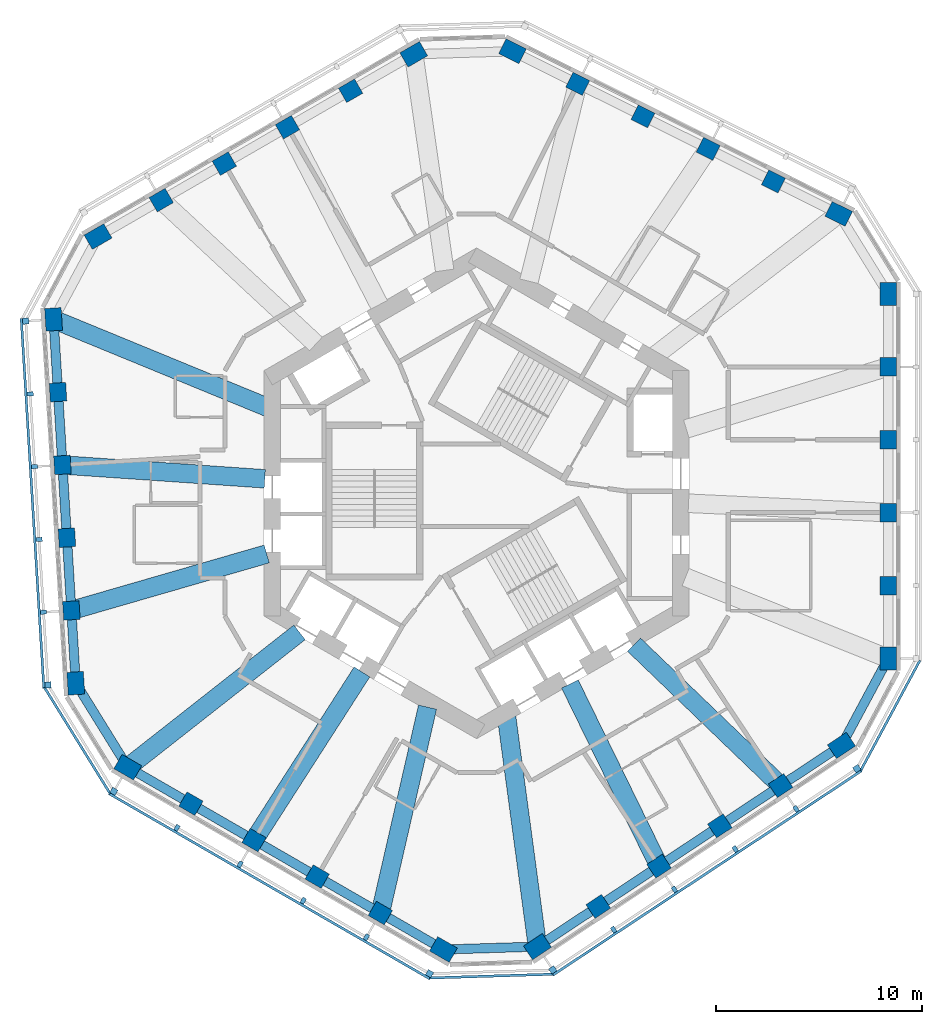
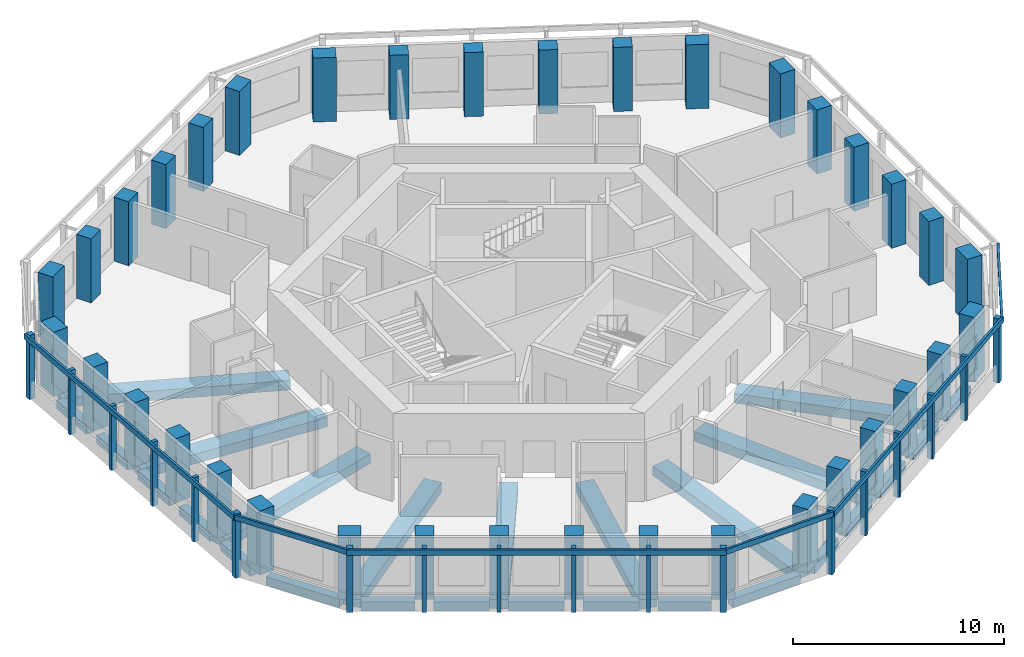
# One storey, part 1 of 11: 36 columns, 27 beams, 24 members, 6 elements without a shape of their own.
"""IFC4 building model written with IfcOpenShell, lengths in metres."""

from ifc_helpers import new_model, si_unit, direction, frame, origin, origin_2d, place, context, subcontext, project, spatial, rectangle, extrude, material, material_profile, profile_set, type_object, element, aggregate, save


model = new_model("IFC4")

# Units and contexts
model_context = context("Model", 3, precision=1e-05, world=origin(), true_north=direction((0.0, 1.0)))
body_context = subcontext(model_context, "Body", "Model", "MODEL_VIEW")
ifc_project = project(units=[si_unit("LENGTHUNIT", "METRE"), si_unit("AREAUNIT", "SQUARE_METRE"), si_unit("VOLUMEUNIT", "CUBIC_METRE"), si_unit("PLANEANGLEUNIT", "RADIAN"), si_unit("MASSUNIT", "GRAM", prefix="KILO")], contexts=[model_context])

# Site, building, storey
site_placement = place(None, origin())
site = spatial("IfcSite", under=ifc_project, at=site_placement, CompositionType="ELEMENT")
building_placement = place(site_placement, origin())
building = spatial("IfcBuilding", under=site, at=building_placement, Name="Vanh Sen Convention Tower", CompositionType="ELEMENT")
storey_placement = place(building_placement, frame((0.0, 0.0, 240.199951171875)))
storey = spatial("IfcBuildingStorey", under=building, at=storey_placement, Name="L59", CompositionType="ELEMENT", Elevation=240.199951171875)

# Columns
ifc_material_1 = material(Name="Concrete C60/75", Category="concrete")
ifc_material_profile_1 = material_profile(ifc_material_1, rectangle(XDim=0.89990234375, YDim=0.800048828125, at=origin_2d()), Name="RC 900X800")
ifc_profile_set_1 = profile_set([ifc_material_profile_1], Name="Concrete C60/75")
column_type_1 = type_object("IfcColumnType", Name="Facade column 900 x 800 C60/75", PredefinedType="COLUMN", material=ifc_profile_set_1)
for number, where, z_axis, x_axis, name in (
    (1, (19.949951171875, -4.46923828125, 0.0), (0.0, 0.0, 1.0), (0.0, 1.0, 0.0), "Facade column 02 L59"),
    (2, (19.949951171875, -0.935546875, 0.0), (0.0, 0.0, 1.0), (0.0, 1.0, 0.0), "Facade column 03 L59"),
    (3, (19.949951171875, 2.59814453125, 0.0), (0.0, 0.0, 1.0), (0.0, 1.0, 0.0), "Facade column 04 L59"),
    (4, (19.949951171875, 6.131591796875, 0.0), (0.0, 0.0, 1.0), (0.0, 1.0, 0.0), "Facade column 05 L59"),
    (5, (14.38916015625, 15.117919921875, 0.0), (0.0, 0.0, 1.0), (-0.894934361602, 0.44619781311, 0.0), "Facade column 08 L59"),
    (6, (11.226806640625, 16.694580078125, 0.0), (0.0, 0.0, 1.0), (-0.894934361602, 0.44619781311, 0.0), "Facade column 09 L59"),
    (7, (8.064453125, 18.271484375, 0.0), (0.0, 0.0, 1.0), (-0.894934361602, 0.44619781311, 0.0), "Facade column 10 L59"),
    (8, (4.902099609375, 19.84814453125, 0.0), (0.0, 0.0, 1.0), (-0.894934361602, 0.44619781311, 0.0), "Facade column 11 L59"),
    (9, (-6.1044921875, 19.51171875, 0.0), (0.0, 0.0, 1.0), (-0.866025403784, -0.5, 0.0), "Facade column 14 L59"),
    (10, (-9.164794921875, 17.7451171875, 0.0), (0.0, 0.0, 1.0), (-0.866025403784, -0.5, 0.0), "Facade column 15 L59"),
    (11, (-12.22509765625, 15.978271484375, 0.0), (0.0, 0.0, 1.0), (-0.866025403784, -0.5, 0.0), "Facade column 16 L59"),
    (12, (-15.28515625, 14.211181640625, 0.0), (0.0, 0.0, 1.0), (-0.866025403784, -0.5, 0.0), "Facade column 17 L59"),
    (13, (-20.287109375, 4.90234375, 0.0), (0.0, 0.0, 1.0), (0.061048539535, -0.998134798422, 0.0), "Facade column 20 L59"),
    (14, (-20.0712890625, 1.375244140625, 0.0), (0.0, 0.0, 1.0), (0.061048539535, -0.998134798422, 0.0), "Facade column 21 L59"),
    (15, (-19.855712890625, -2.151611328125, 0.0), (0.0, 0.0, 1.0), (0.061048539535, -0.998134798422, 0.0), "Facade column 22 L59"),
    (16, (-19.639892578125, -5.6787109375, 0.0), (0.0, 0.0, 1.0), (0.061048539535, -0.998134798422, 0.0), "Facade column 23 L59"),
    (17, (-13.845458984375, -15.04248046875, 0.0), (0.0, 0.0, 1.0), (0.866025403784, -0.5, 0.0), "Facade column 26 L59"),
    (18, (-10.78515625, -16.809326171875, 0.0), (0.0, 0.0, 1.0), (0.866025403784, -0.5, 0.0), "Facade column 27 L59"),
    (19, (-7.72509765625, -18.576416015625, 0.0), (0.0, 0.0, 1.0), (0.866025403784, -0.5, 0.0), "Facade column 28 L59"),
    (20, (-4.664794921875, -20.343017578125, 0.0), (0.0, 0.0, 1.0), (0.866025403784, -0.5, 0.0), "Facade column 29 L59"),
    (21, (5.89794921875, -20.0205078125, 0.0), (0.0, 0.0, 1.0), (0.833885822067, 0.551936985312, 0.0), "Facade column 32 L59"),
    (22, (8.844482421875, -18.070068359375, 0.0), (0.0, 0.0, 1.0), (0.833885822067, 0.551936985312, 0.0), "Facade column 33 L59"),
    (23, (11.791259765625, -16.11962890625, 0.0), (0.0, 0.0, 1.0), (0.833885822067, 0.551936985312, 0.0), "Facade column 34 L59"),
    (24, (14.73779296875, -14.169189453125, 0.0), (0.0, 0.0, 1.0), (0.833885822067, 0.551936985312, 0.0), "Facade column 35 L59"),
):
    element("IfcColumn", number, at=place(storey_placement, frame(where, z_axis=z_axis, x_axis=x_axis)), inside=storey, type_object=column_type_1, Name=name, PredefinedType="COLUMN", context=body_context, shape_type="SweptSolid", body=[
        extrude(rectangle(XDim=0.89990234375, YDim=0.800048828125, at=origin_2d()), origin(), (0.0, 0.0, 1.0), 3.699951171875),
    ])
ifc_material_profile_2 = material_profile(ifc_material_1, rectangle(XDim=1.10009765625, YDim=0.800048828125, at=origin_2d()), Name="RC 1100X800")
ifc_profile_set_2 = profile_set([ifc_material_profile_2], Name="Concrete C60/75")
column_type_2 = type_object("IfcColumnType", Name="Facade corner column 1100 x 800 C60/75", PredefinedType="COLUMN", material=ifc_profile_set_2)
for number, where, z_axis, x_axis, name in (
    (25, (19.949951171875, -8.002685546875, 0.0), (0.0, 0.0, 1.0), (0.0, 1.0, 0.0), "Facade column 01 L59"),
    (26, (19.949951171875, 9.665283203125, 0.0), (0.0, 0.0, 1.0), (0.0, 1.0, 0.0), "Facade column 06 L59"),
    (27, (17.551513671875, 13.541259765625, 0.0), (0.0, 0.0, 1.0), (-0.894934361602, 0.44619781311, 0.0), "Facade column 07 L59"),
    (28, (1.73974609375, 21.4248046875, 0.0), (0.0, 0.0, 1.0), (-0.894934361602, 0.44619781311, 0.0), "Facade column 12 L59"),
    (29, (-3.04443359375, 21.278564453125, 0.0), (0.0, 0.0, 1.0), (-0.866025403784, -0.5, 0.0), "Facade column 13 L59"),
    (30, (-18.345458984375, 12.444580078125, 0.0), (0.0, 0.0, 1.0), (-0.866025403784, -0.5, 0.0), "Facade column 18 L59"),
    (31, (-20.502685546875, 8.429443359375, 0.0), (0.0, 0.0, 1.0), (0.061048539535, -0.998134798422, 0.0), "Facade column 19 L59"),
    (32, (-19.42431640625, -9.205810546875, 0.0), (0.0, 0.0, 1.0), (0.061048539535, -0.998134798422, 0.0), "Facade column 24 L59"),
    (33, (-16.905517578125, -13.27587890625, 0.0), (0.0, 0.0, 1.0), (0.866025403784, -0.5, 0.0), "Facade column 25 L59"),
    (34, (-1.6044921875, -22.10986328125, 0.0), (0.0, 0.0, 1.0), (0.866025403784, -0.5, 0.0), "Facade column 30 L59"),
    (35, (2.951416015625, -21.970703125, 0.0), (0.0, 0.0, 1.0), (0.833885822067, 0.551936985312, 0.0), "Facade column 31 L59"),
    (36, (17.6845703125, -12.218994140625, 0.0), (0.0, 0.0, 1.0), (0.833885822067, 0.551936985312, 0.0), "Facade column 36 L59"),
):
    element("IfcColumn", number, at=place(storey_placement, frame(where, z_axis=z_axis, x_axis=x_axis)), inside=storey, type_object=column_type_2, Name=name, PredefinedType="COLUMN", context=body_context, shape_type="SweptSolid", body=[
        extrude(rectangle(XDim=1.10009765625, YDim=0.800048828125, at=origin_2d()), origin(), (0.0, 0.0, 1.0), 3.699951171875),
    ])

# Curtain wall, members
ifc_material_2 = material(Name="Concrete C50/60", Category="concrete")
curtain_wall_type = type_object("IfcCurtainWallType", Name="Outer skin office zone", PredefinedType="NOTDEFINED", material=ifc_material_2)
curtain_wall_1_placement = place(storey_placement, origin())
curtain_wall_1 = element("IfcCurtainWall", 37, at=curtain_wall_1_placement, inside=storey, type_object=curtain_wall_type, Name="OUTER SKIN W L59", PredefinedType="NOTDEFINED")
ifc_material_profile_3 = material_profile(ifc_material_2, rectangle(XDim=0.300048828125, YDim=0.300048828125, at=origin_2d()), Name="Outer skin precast corner fin 300 x 300")
ifc_profile_set_3 = profile_set([ifc_material_profile_3], Name="Concrete C50/60")
member_type_1 = type_object("IfcMemberType", Name="Outer skin precast corner fin 300 x 300", PredefinedType="MULLION", material=ifc_profile_set_3)
member_1_placement = place(storey_placement, frame((-21.850341796875, 8.346923828125, 0.0), z_axis=(0.0, 0.0, 1.0), x_axis=(0.061048539535, -0.998134798422, 0.0)))
member_1 = element("IfcMember", 38, at=member_1_placement, type_object=member_type_1, Name="OUTER SKIN CORNER FIN 1 W L59", PredefinedType="MULLION", context=body_context, shape_type="SweptSolid", body=[
    extrude(rectangle(XDim=0.300048828125, YDim=0.300048828125, at=origin_2d()), origin(), (0.0, 0.0, 1.0), 3.699951171875),
])
member_2_placement = place(storey_placement, frame((-20.771728515625, -9.2880859375, 0.0), z_axis=(0.0, 0.0, 1.0), x_axis=(0.061048539535, -0.998134798422, 0.0)))
member_2 = element("IfcMember", 39, at=member_2_placement, type_object=member_type_1, Name="OUTER SKIN CORNER FIN 6 W L59", PredefinedType="MULLION", context=body_context, shape_type="SweptSolid", body=[
    extrude(rectangle(XDim=0.300048828125, YDim=0.300048828125, at=origin_2d()), origin(), (0.0, 0.0, 1.0), 3.699951171875),
])

curtain_wall_2_placement = place(storey_placement, origin())
curtain_wall_2 = element("IfcCurtainWall", 40, at=curtain_wall_2_placement, inside=storey, type_object=curtain_wall_type, Name="OUTER SKIN SW L59", PredefinedType="NOTDEFINED")
member_3_placement = place(storey_placement, frame((-17.58056640625, -14.44482421875, 0.0), z_axis=(0.0, 0.0, 1.0), x_axis=(0.866025403784, -0.5, 0.0)))
member_3 = element("IfcMember", 41, at=member_3_placement, type_object=member_type_1, Name="OUTER SKIN CORNER FIN 1 SW L59", PredefinedType="MULLION", context=body_context, shape_type="SweptSolid", body=[
    extrude(rectangle(XDim=0.300048828125, YDim=0.300048828125, at=origin_2d()), origin(), (0.0, 0.0, 1.0), 3.699951171875),
])
member_4_placement = place(storey_placement, frame((-2.279541015625, -23.279052734375, 0.0), z_axis=(0.0, 0.0, 1.0), x_axis=(0.866025403784, -0.5, 0.0)))
member_4 = element("IfcMember", 42, at=member_4_placement, type_object=member_type_1, Name="OUTER SKIN CORNER FIN 6 SW L59", PredefinedType="MULLION", context=body_context, shape_type="SweptSolid", body=[
    extrude(rectangle(XDim=0.300048828125, YDim=0.300048828125, at=origin_2d()), origin(), (0.0, 0.0, 1.0), 3.699951171875),
])

curtain_wall_3_placement = place(storey_placement, origin())
curtain_wall_3 = element("IfcCurtainWall", 43, at=curtain_wall_3_placement, inside=storey, type_object=curtain_wall_type, Name="OUTER SKIN SE L59", PredefinedType="NOTDEFINED")
member_5_placement = place(storey_placement, frame((3.6962890625, -23.096435546875, 0.0), z_axis=(0.0, 0.0, 1.0), x_axis=(0.833885822067, 0.551936985312, 0.0)))
member_5 = element("IfcMember", 44, at=member_5_placement, type_object=member_type_1, Name="OUTER SKIN CORNER FIN 1 SE L59", PredefinedType="MULLION", context=body_context, shape_type="SweptSolid", body=[
    extrude(rectangle(XDim=0.300048828125, YDim=0.300048828125, at=origin_2d()), origin(), (0.0, 0.0, 1.0), 3.699951171875),
])
member_6_placement = place(storey_placement, frame((18.4296875, -13.3447265625, 0.0), z_axis=(0.0, 0.0, 1.0), x_axis=(0.833885822067, 0.551936985312, 0.0)))
member_6 = element("IfcMember", 45, at=member_6_placement, type_object=member_type_1, Name="OUTER SKIN CORNER FIN 6 SE L59", PredefinedType="MULLION", context=body_context, shape_type="SweptSolid", body=[
    extrude(rectangle(XDim=0.300048828125, YDim=0.300048828125, at=origin_2d()), origin(), (0.0, 0.0, 1.0), 3.699951171875),
])

# Member
ifc_material_profile_4 = material_profile(ifc_material_2, rectangle(XDim=0.199951171875, YDim=0.300048828125, at=origin_2d()), Name="Outer skin precast fin 200 x 300")
ifc_profile_set_4 = profile_set([ifc_material_profile_4], Name="Concrete C50/60")
member_type_2 = type_object("IfcMemberType", Name="Outer skin precast fin 200 x 300", PredefinedType="MULLION", material=ifc_profile_set_4)
member_7_placement = place(storey_placement, frame((-21.634521484375, 4.820068359375, 0.0), z_axis=(0.0, 0.0, 1.0), x_axis=(0.061048539535, -0.998134798422, 0.0)))
member_7 = element("IfcMember", 46, at=member_7_placement, type_object=member_type_2, Name="OUTER SKIN fin 2 W L59", PredefinedType="MULLION", context=body_context, shape_type="SweptSolid", body=[
    extrude(rectangle(XDim=0.199951171875, YDim=0.300048828125, at=origin_2d()), origin(), (0.0, 0.0, 1.0), 3.699951171875),
])

member_8_placement = place(storey_placement, frame((-21.4189453125, 1.29296875, 0.0), z_axis=(0.0, 0.0, 1.0), x_axis=(0.061048539535, -0.998134798422, 0.0)))
member_8 = element("IfcMember", 47, at=member_8_placement, type_object=member_type_2, Name="OUTER SKIN fin 3 W L59", PredefinedType="MULLION", context=body_context, shape_type="SweptSolid", body=[
    extrude(rectangle(XDim=0.199951171875, YDim=0.300048828125, at=origin_2d()), origin(), (0.0, 0.0, 1.0), 3.699951171875),
])

member_9_placement = place(storey_placement, frame((-21.203125, -2.234130859375, 0.0), z_axis=(0.0, 0.0, 1.0), x_axis=(0.061048539535, -0.998134798422, 0.0)))
member_9 = element("IfcMember", 48, at=member_9_placement, type_object=member_type_2, Name="OUTER SKIN fin 4 W L59", PredefinedType="MULLION", context=body_context, shape_type="SweptSolid", body=[
    extrude(rectangle(XDim=0.199951171875, YDim=0.300048828125, at=origin_2d()), origin(), (0.0, 0.0, 1.0), 3.699951171875),
])

member_10_placement = place(storey_placement, frame((-20.987548828125, -5.760986328125, 0.0), z_axis=(0.0, 0.0, 1.0), x_axis=(0.061048539535, -0.998134798422, 0.0)))
member_10 = element("IfcMember", 49, at=member_10_placement, type_object=member_type_2, Name="OUTER SKIN fin 5 W L59", PredefinedType="MULLION", context=body_context, shape_type="SweptSolid", body=[
    extrude(rectangle(XDim=0.199951171875, YDim=0.300048828125, at=origin_2d()), origin(), (0.0, 0.0, 1.0), 3.699951171875),
])

member_11_placement = place(storey_placement, frame((-14.5205078125, -16.211669921875, 0.0), z_axis=(0.0, 0.0, 1.0), x_axis=(0.866025403784, -0.5, 0.0)))
member_11 = element("IfcMember", 50, at=member_11_placement, type_object=member_type_2, Name="OUTER SKIN fin 2 SW L59", PredefinedType="MULLION", context=body_context, shape_type="SweptSolid", body=[
    extrude(rectangle(XDim=0.199951171875, YDim=0.300048828125, at=origin_2d()), origin(), (0.0, 0.0, 1.0), 3.699951171875),
])

member_12_placement = place(storey_placement, frame((-11.460205078125, -17.978515625, 0.0), z_axis=(0.0, 0.0, 1.0), x_axis=(0.866025403784, -0.5, 0.0)))
member_12 = element("IfcMember", 51, at=member_12_placement, type_object=member_type_2, Name="OUTER SKIN fin 3 SW L59", PredefinedType="MULLION", context=body_context, shape_type="SweptSolid", body=[
    extrude(rectangle(XDim=0.199951171875, YDim=0.300048828125, at=origin_2d()), origin(), (0.0, 0.0, 1.0), 3.699951171875),
])

member_13_placement = place(storey_placement, frame((-8.39990234375, -19.745361328125, 0.0), z_axis=(0.0, 0.0, 1.0), x_axis=(0.866025403784, -0.5, 0.0)))
member_13 = element("IfcMember", 52, at=member_13_placement, type_object=member_type_2, Name="OUTER SKIN fin 4 SW L59", PredefinedType="MULLION", context=body_context, shape_type="SweptSolid", body=[
    extrude(rectangle(XDim=0.199951171875, YDim=0.300048828125, at=origin_2d()), origin(), (0.0, 0.0, 1.0), 3.699951171875),
])

member_14_placement = place(storey_placement, frame((-5.33984375, -21.51220703125, 0.0), z_axis=(0.0, 0.0, 1.0), x_axis=(0.866025403784, -0.5, 0.0)))
member_14 = element("IfcMember", 53, at=member_14_placement, type_object=member_type_2, Name="OUTER SKIN fin 5 SW L59", PredefinedType="MULLION", context=body_context, shape_type="SweptSolid", body=[
    extrude(rectangle(XDim=0.199951171875, YDim=0.300048828125, at=origin_2d()), origin(), (0.0, 0.0, 1.0), 3.699951171875),
])

member_15_placement = place(storey_placement, frame((6.64306640625, -21.14599609375, 0.0), z_axis=(0.0, 0.0, 1.0), x_axis=(0.833885822067, 0.551936985312, 0.0)))
member_15 = element("IfcMember", 54, at=member_15_placement, type_object=member_type_2, Name="OUTER SKIN fin 2 SE L59", PredefinedType="MULLION", context=body_context, shape_type="SweptSolid", body=[
    extrude(rectangle(XDim=0.199951171875, YDim=0.300048828125, at=origin_2d()), origin(), (0.0, 0.0, 1.0), 3.699951171875),
])

member_16_placement = place(storey_placement, frame((9.589599609375, -19.19580078125, 0.0), z_axis=(0.0, 0.0, 1.0), x_axis=(0.833885822067, 0.551936985312, 0.0)))
member_16 = element("IfcMember", 55, at=member_16_placement, type_object=member_type_2, Name="OUTER SKIN fin 3 SE L59", PredefinedType="MULLION", context=body_context, shape_type="SweptSolid", body=[
    extrude(rectangle(XDim=0.199951171875, YDim=0.300048828125, at=origin_2d()), origin(), (0.0, 0.0, 1.0), 3.699951171875),
])

member_17_placement = place(storey_placement, frame((12.536376953125, -17.245361328125, 0.0), z_axis=(0.0, 0.0, 1.0), x_axis=(0.833885822067, 0.551936985312, 0.0)))
member_17 = element("IfcMember", 56, at=member_17_placement, type_object=member_type_2, Name="OUTER SKIN fin 4 SE L59", PredefinedType="MULLION", context=body_context, shape_type="SweptSolid", body=[
    extrude(rectangle(XDim=0.199951171875, YDim=0.300048828125, at=origin_2d()), origin(), (0.0, 0.0, 1.0), 3.699951171875),
])

member_18_placement = place(storey_placement, frame((15.48291015625, -15.294921875, 0.0), z_axis=(0.0, 0.0, 1.0), x_axis=(0.833885822067, 0.551936985312, 0.0)))
member_18 = element("IfcMember", 57, at=member_18_placement, type_object=member_type_2, Name="OUTER SKIN fin 5 SE L59", PredefinedType="MULLION", context=body_context, shape_type="SweptSolid", body=[
    extrude(rectangle(XDim=0.199951171875, YDim=0.300048828125, at=origin_2d()), origin(), (0.0, 0.0, 1.0), 3.699951171875),
])

ifc_material_profile_5 = material_profile(ifc_material_2, rectangle(XDim=0.1201171875, YDim=0.300048828125, at=origin_2d()), Name="Outer skin precast spandrel band 300 x 120")
ifc_profile_set_5 = profile_set([ifc_material_profile_5], Name="Concrete C50/60")
member_type_3 = type_object("IfcMemberType", Name="Outer skin precast spandrel band 300 x 120", PredefinedType="USERDEFINED", material=ifc_profile_set_5)
member_19_placement = place(storey_placement, frame((-22.069091796875, 8.48388671875, 3.550048828125), z_axis=(0.061048457282, -0.998134803453, 0.0), x_axis=(0.998134803453, 0.061048457282, 0.0)))
member_19 = element("IfcMember", 58, at=member_19_placement, type_object=member_type_3, Name="OUTER SKIN spandrel band W L59", ObjectType="TRANSOM", PredefinedType="USERDEFINED", context=body_context, shape_type="SweptSolid", body=[
    extrude(rectangle(XDim=0.1201171875, YDim=0.300048828125, at=origin_2d()), origin(), (0.0, 0.0, 1.0), 17.968017578125),
])

aggregate(curtain_wall_1, [member_1, member_7, member_8, member_9, member_10, member_2, member_19])

# Curtain wall, member
curtain_wall_4_placement = place(storey_placement, origin())
curtain_wall_4 = element("IfcCurtainWall", 59, at=curtain_wall_4_placement, inside=storey, type_object=curtain_wall_type, Name="OUTER SKIN CH4 L59", PredefinedType="NOTDEFINED")
member_20_placement = place(storey_placement, frame((-20.9501953125, -9.398681640625, 3.550048828125), z_axis=(0.526193830542, -0.850364658661, 0.0), x_axis=(0.850364658661, 0.526193830542, 0.0)))
member_20 = element("IfcMember", 60, at=member_20_placement, type_object=member_type_3, Name="OUTER SKIN spandrel band CH4 L59", ObjectType="TRANSOM", PredefinedType="USERDEFINED", context=body_context, shape_type="SweptSolid", body=[
    extrude(rectangle(XDim=0.1201171875, YDim=0.300048828125, at=origin_2d()), origin(), (0.0, 0.0, 1.0), 6.064208984375),
])
aggregate(curtain_wall_4, [member_20])

# Member
member_21_placement = place(storey_placement, frame((-17.8154296875, -14.5517578125, 3.550048828125), z_axis=(0.866022898019, -0.500004340088, 0.0), x_axis=(0.500004340088, 0.866022898019, 0.0)))
member_21 = element("IfcMember", 61, at=member_21_placement, type_object=member_type_3, Name="OUTER SKIN spandrel band SW L59", ObjectType="TRANSOM", PredefinedType="USERDEFINED", context=body_context, shape_type="SweptSolid", body=[
    extrude(rectangle(XDim=0.1201171875, YDim=0.300048828125, at=origin_2d()), origin(), (0.0, 0.0, 1.0), 17.968017578125),
])

aggregate(curtain_wall_2, [member_3, member_11, member_12, member_13, member_14, member_4, member_21])

# Curtain wall, member
curtain_wall_5_placement = place(storey_placement, origin())
curtain_wall_5 = element("IfcCurtainWall", 62, at=curtain_wall_5_placement, inside=storey, type_object=curtain_wall_type, Name="OUTER SKIN CH5 L59", PredefinedType="NOTDEFINED")
member_22_placement = place(storey_placement, frame((-2.273193359375, -23.489013671875, 3.550048828125), z_axis=(0.99953342946, 0.030543794642, 0.0), x_axis=(-0.030543794642, 0.99953342946, 0.0)))
member_22 = element("IfcMember", 63, at=member_22_placement, type_object=member_type_3, Name="OUTER SKIN spandrel band CH5 L59", ObjectType="TRANSOM", PredefinedType="USERDEFINED", context=body_context, shape_type="SweptSolid", body=[
    extrude(rectangle(XDim=0.1201171875, YDim=0.300048828125, at=origin_2d()), origin(), (0.0, 0.0, 1.0), 5.978759765625),
])
aggregate(curtain_wall_5, [member_22])

# Member
member_23_placement = place(storey_placement, frame((3.687255859375, -23.3544921875, 3.550048828125), z_axis=(0.83388107344, 0.551944159638, 0.0), x_axis=(-0.551944159638, 0.83388107344, 0.0)))
member_23 = element("IfcMember", 64, at=member_23_placement, type_object=member_type_3, Name="OUTER SKIN spandrel band SE L59", ObjectType="TRANSOM", PredefinedType="USERDEFINED", context=body_context, shape_type="SweptSolid", body=[
    extrude(rectangle(XDim=0.1201171875, YDim=0.300048828125, at=origin_2d()), origin(), (0.0, 0.0, 1.0), 17.96826171875),
])

aggregate(curtain_wall_3, [member_5, member_15, member_16, member_17, member_18, member_6, member_23])

# Curtain wall, member
curtain_wall_6_placement = place(storey_placement, origin())
curtain_wall_6 = element("IfcCurtainWall", 65, at=curtain_wall_6_placement, inside=storey, type_object=curtain_wall_type, Name="OUTER SKIN CH6 L59", PredefinedType="NOTDEFINED")
member_24_placement = place(storey_placement, frame((18.61474609375, -13.444091796875, 3.550048828125), z_axis=(0.473333785199, 0.880883152177, 0.0), x_axis=(-0.880883152177, 0.473333785199, 0.0)))
member_24 = element("IfcMember", 66, at=member_24_placement, type_object=member_type_3, Name="OUTER SKIN spandrel band CH6 L59", ObjectType="TRANSOM", PredefinedType="USERDEFINED", context=body_context, shape_type="SweptSolid", body=[
    extrude(rectangle(XDim=0.1201171875, YDim=0.300048828125, at=origin_2d()), origin(), (0.0, 0.0, 1.0), 6.064208984375),
])
aggregate(curtain_wall_6, [member_24])

# Beams
ifc_material_3 = material(Name="Concrete C50/60", Category="concrete")
ifc_material_profile_6 = material_profile(ifc_material_3, rectangle(XDim=0.89990234375, YDim=0.550048828125, at=origin_2d()), Name="RC 900X550")
ifc_profile_set_6 = profile_set([ifc_material_profile_6], Name="Concrete C50/60")
beam_type_1 = type_object("IfcBeamType", Name="Radial floor beam 900 x 550", PredefinedType="BEAM", material=ifc_profile_set_6)
beam_1_placement = place(storey_placement, frame((-20.298095703125, 8.34521484375, -0.554931640625), z_axis=(0.924881589255, -0.380255237778, 0.0), x_axis=(0.380255237778, 0.924881589255, 0.0)))
element("IfcBeam", 67, at=beam_1_placement, inside=storey, type_object=beam_type_1, Name="Radial beam 10 L59", PredefinedType="BEAM", context=body_context, shape_type="SweptSolid", body=[
    extrude(rectangle(XDim=0.89990234375, YDim=0.550048828125, at=origin_2d()), origin(), (0.0, 0.0, 1.0), 11.000244140625),
])
beam_2_placement = place(storey_placement, frame((-20.04736328125, 1.373779296875, -0.554931640625), z_axis=(0.997660286065, -0.068366319264, 0.0), x_axis=(0.068366319264, 0.997660286065, 0.0)))
element("IfcBeam", 68, at=beam_2_placement, inside=storey, type_object=beam_type_1, Name="Radial beam 11 L59", PredefinedType="BEAM", context=body_context, shape_type="SweptSolid", body=[
    extrude(rectangle(XDim=0.89990234375, YDim=0.550048828125, at=origin_2d()), origin(), (0.0, 0.0, 1.0), 9.80615234375),
])
beam_3_placement = place(storey_placement, frame((-19.596923828125, -5.666259765625, -0.554931640625), z_axis=(0.960651653267, 0.277756009973, 0.0), x_axis=(-0.277756009973, 0.960651653267, 0.0)))
element("IfcBeam", 69, at=beam_3_placement, inside=storey, type_object=beam_type_1, Name="Radial beam 12 L59", PredefinedType="BEAM", context=body_context, shape_type="SweptSolid", body=[
    extrude(rectangle(XDim=0.89990234375, YDim=0.550048828125, at=origin_2d()), origin(), (0.0, 0.0, 1.0), 9.81298828125),
])
beam_4_placement = place(storey_placement, frame((-16.71240234375, -13.124267578125, -0.554931640625), z_axis=(0.786468287058, 0.617630661036, 0.0), x_axis=(-0.617630661036, 0.786468287058, 0.0)))
element("IfcBeam", 70, at=beam_4_placement, inside=storey, type_object=beam_type_1, Name="Radial beam 13 L59", PredefinedType="BEAM", context=body_context, shape_type="SweptSolid", body=[
    extrude(rectangle(XDim=0.89990234375, YDim=0.550048828125, at=origin_2d()), origin(), (0.0, 0.0, 1.0), 10.33740234375),
])
beam_5_placement = place(storey_placement, frame((-10.7822265625, -16.804931640625, -0.554931640625), z_axis=(0.540007952094, 0.841659914499, 0.0), x_axis=(-0.841659914499, 0.540007952094, 0.0)))
element("IfcBeam", 71, at=beam_5_placement, inside=storey, type_object=beam_type_1, Name="Radial beam 14 L59", PredefinedType="BEAM", context=body_context, shape_type="SweptSolid", body=[
    extrude(rectangle(XDim=0.89990234375, YDim=0.550048828125, at=origin_2d()), origin(), (0.0, 0.0, 1.0), 9.681396484375),
])
beam_6_placement = place(storey_placement, frame((-4.65087890625, -20.281982421875, -0.554931640625), z_axis=(0.223504847776, 0.974702817797, 0.0), x_axis=(-0.974702817797, 0.223504847776, 0.0)))
element("IfcBeam", 72, at=beam_6_placement, inside=storey, type_object=beam_type_1, Name="Radial beam 15 L59", PredefinedType="BEAM", context=body_context, shape_type="SweptSolid", body=[
    extrude(rectangle(XDim=0.89990234375, YDim=0.550048828125, at=origin_2d()), origin(), (0.0, 0.0, 1.0), 10.176025390625),
])
beam_7_placement = place(storey_placement, frame((2.921875, -21.751220703125, -0.554931640625), z_axis=(-0.133144963531, 0.991096573844, 0.0), x_axis=(-0.991096573844, -0.133144963531, 0.0)))
element("IfcBeam", 73, at=beam_7_placement, inside=storey, type_object=beam_type_1, Name="Radial beam 16 L59", PredefinedType="BEAM", context=body_context, shape_type="SweptSolid", body=[
    extrude(rectangle(XDim=0.89990234375, YDim=0.550048828125, at=origin_2d()), origin(), (0.0, 0.0, 1.0), 11.0),
])
beam_8_placement = place(storey_placement, frame((8.833984375, -18.04833984375, -0.554931640625), z_axis=(-0.439628935164, 0.898179491731, 0.0), x_axis=(-0.898179491731, -0.439628935164, 0.0)))
element("IfcBeam", 74, at=beam_8_placement, inside=storey, type_object=beam_type_1, Name="Radial beam 17 L59", PredefinedType="BEAM", context=body_context, shape_type="SweptSolid", body=[
    extrude(rectangle(XDim=0.89990234375, YDim=0.550048828125, at=origin_2d()), origin(), (0.0, 0.0, 1.0), 9.80615234375),
])
beam_9_placement = place(storey_placement, frame((14.70556640625, -14.13818359375, -0.554931640625), z_axis=(-0.720878004506, 0.693061976031, 0.0), x_axis=(-0.693061976031, -0.720878004506, 0.0)))
element("IfcBeam", 75, at=beam_9_placement, inside=storey, type_object=beam_type_1, Name="Radial beam 18 L59", PredefinedType="BEAM", context=body_context, shape_type="SweptSolid", body=[
    extrude(rectangle(XDim=0.89990234375, YDim=0.550048828125, at=origin_2d()), origin(), (0.0, 0.0, 1.0), 9.812744140625),
])
ifc_material_profile_7 = material_profile(ifc_material_3, rectangle(XDim=0.449951171875, YDim=0.5, at=origin_2d()), Name="RC 450X500")
ifc_profile_set_7 = profile_set([ifc_material_profile_7], Name="Concrete C50/60")
beam_type_2 = type_object("IfcBeamType", Name="Spandrel beam 450 x 500", PredefinedType="SPANDREL", material=ifc_profile_set_7)
beam_10_placement = place(storey_placement, frame((-20.469482421875, 7.885498046875, -0.530029296875), z_axis=(0.061039814536, -0.998135332027, 0.0), x_axis=(0.998135332027, 0.061039814536, 0.0)))
element("IfcBeam", 76, at=beam_10_placement, inside=storey, type_object=beam_type_2, Name="Spandrel beam 19 L59", PredefinedType="SPANDREL", context=body_context, shape_type="SweptSolid", body=[
    extrude(rectangle(XDim=0.449951171875, YDim=0.5, at=origin_2d()), origin(), (0.0, 0.0, 1.0), 2.543701171875),
])
beam_11_placement = place(storey_placement, frame((-20.260009765625, 4.458251953125, -0.530029296875), z_axis=(0.061038717625, -0.998135399107, 0.0), x_axis=(0.998135399107, 0.061038717625, 0.0)))
element("IfcBeam", 77, at=beam_11_placement, inside=storey, type_object=beam_type_2, Name="Spandrel beam 20 L59", PredefinedType="SPANDREL", context=body_context, shape_type="SweptSolid", body=[
    extrude(rectangle(XDim=0.449951171875, YDim=0.5, at=origin_2d()), origin(), (0.0, 0.0, 1.0), 2.643798828125),
])
beam_12_placement = place(storey_placement, frame((-20.044189453125, 0.93115234375, -0.530029296875), z_axis=(0.061044344131, -0.998135055015, 0.0), x_axis=(0.998135055015, 0.061044344131, 0.0)))
element("IfcBeam", 78, at=beam_12_placement, inside=storey, type_object=beam_type_2, Name="Spandrel beam 21 L59", PredefinedType="SPANDREL", context=body_context, shape_type="SweptSolid", body=[
    extrude(rectangle(XDim=0.449951171875, YDim=0.5, at=origin_2d()), origin(), (0.0, 0.0, 1.0), 2.6435546875),
])
beam_13_placement = place(storey_placement, frame((-19.82861328125, -2.595703125, -0.530029296875), z_axis=(0.061038717625, -0.998135399107, 0.0), x_axis=(0.998135399107, 0.061038717625, 0.0)))
element("IfcBeam", 79, at=beam_13_placement, inside=storey, type_object=beam_type_2, Name="Spandrel beam 22 L59", PredefinedType="SPANDREL", context=body_context, shape_type="SweptSolid", body=[
    extrude(rectangle(XDim=0.449951171875, YDim=0.5, at=origin_2d()), origin(), (0.0, 0.0, 1.0), 2.643798828125),
])
beam_14_placement = place(storey_placement, frame((-19.61279296875, -6.122802734375, -0.530029296875), z_axis=(0.061039814536, -0.998135332027, 0.0), x_axis=(0.998135332027, 0.061039814536, 0.0)))
element("IfcBeam", 80, at=beam_14_placement, inside=storey, type_object=beam_type_2, Name="Spandrel beam 23 L59", PredefinedType="SPANDREL", context=body_context, shape_type="SweptSolid", body=[
    extrude(rectangle(XDim=0.449951171875, YDim=0.5, at=origin_2d()), origin(), (0.0, 0.0, 1.0), 2.543701171875),
])
beam_15_placement = place(storey_placement, frame((-19.202392578125, -9.564208984375, -0.530029296875), z_axis=(0.52623738605, -0.850337705576, 0.0), x_axis=(0.850337705576, 0.52623738605, 0.0)))
element("IfcBeam", 81, at=beam_15_placement, inside=storey, type_object=beam_type_2, Name="Spandrel beam 24 L59", PredefinedType="SPANDREL", context=body_context, shape_type="SweptSolid", body=[
    extrude(rectangle(XDim=0.449951171875, YDim=0.5, at=origin_2d()), origin(), (0.0, 0.0, 1.0), 3.943359375),
])
beam_16_placement = place(storey_placement, frame((-16.43359375, -13.54833984375, -0.530029296875), z_axis=(0.866043336059, -0.499968939103, 0.0), x_axis=(0.499968939103, 0.866043336059, 0.0)))
element("IfcBeam", 82, at=beam_16_placement, inside=storey, type_object=beam_type_2, Name="Spandrel beam 25 L59", PredefinedType="SPANDREL", context=body_context, shape_type="SweptSolid", body=[
    extrude(rectangle(XDim=0.449951171875, YDim=0.5, at=origin_2d()), origin(), (0.0, 0.0, 1.0), 2.543701171875),
])
beam_17_placement = place(storey_placement, frame((-13.4599609375, -15.26513671875, -0.530029296875), z_axis=(0.866017944311, -0.500012919964, 0.0), x_axis=(0.500012919964, 0.866017944311, 0.0)))
element("IfcBeam", 83, at=beam_17_placement, inside=storey, type_object=beam_type_2, Name="Spandrel beam 26 L59", PredefinedType="SPANDREL", context=body_context, shape_type="SweptSolid", body=[
    extrude(rectangle(XDim=0.449951171875, YDim=0.5, at=origin_2d()), origin(), (0.0, 0.0, 1.0), 2.6435546875),
])
beam_18_placement = place(storey_placement, frame((-10.39990234375, -17.031982421875, -0.530029296875), z_axis=(0.866041031621, -0.499972930816, 0.0), x_axis=(0.499972930816, 0.866041031621, 0.0)))
element("IfcBeam", 84, at=beam_18_placement, inside=storey, type_object=beam_type_2, Name="Spandrel beam 27 L59", PredefinedType="SPANDREL", context=body_context, shape_type="SweptSolid", body=[
    extrude(rectangle(XDim=0.449951171875, YDim=0.5, at=origin_2d()), origin(), (0.0, 0.0, 1.0), 2.643798828125),
])
beam_19_placement = place(storey_placement, frame((-7.339599609375, -18.798828125, -0.530029296875), z_axis=(0.866017944311, -0.500012919964, 0.0), x_axis=(0.500012919964, 0.866017944311, 0.0)))
element("IfcBeam", 85, at=beam_19_placement, inside=storey, type_object=beam_type_2, Name="Spandrel beam 28 L59", PredefinedType="SPANDREL", context=body_context, shape_type="SweptSolid", body=[
    extrude(rectangle(XDim=0.449951171875, YDim=0.5, at=origin_2d()), origin(), (0.0, 0.0, 1.0), 2.6435546875),
])
beam_20_placement = place(storey_placement, frame((-4.279296875, -20.565673828125, -0.530029296875), z_axis=(0.866043336059, -0.499968939103, 0.0), x_axis=(0.499968939103, 0.866043336059, 0.0)))
element("IfcBeam", 86, at=beam_20_placement, inside=storey, type_object=beam_type_2, Name="Spandrel beam 29 L59", PredefinedType="SPANDREL", context=body_context, shape_type="SweptSolid", body=[
    extrude(rectangle(XDim=0.449951171875, YDim=0.5, at=origin_2d()), origin(), (0.0, 0.0, 1.0), 2.543701171875),
])
beam_21_placement = place(storey_placement, frame((-1.213134765625, -22.097900390625, -0.530029296875), z_axis=(0.999533911408, 0.030528019036, 0.0), x_axis=(-0.030528019036, 0.999533911408, 0.0)))
element("IfcBeam", 87, at=beam_21_placement, inside=storey, type_object=beam_type_2, Name="Spandrel beam 30 L59", PredefinedType="SPANDREL", context=body_context, shape_type="SweptSolid", body=[
    extrude(rectangle(XDim=0.449951171875, YDim=0.5, at=origin_2d()), origin(), (0.0, 0.0, 1.0), 3.774658203125),
])
beam_22_placement = place(storey_placement, frame((3.40576171875, -21.669921875, -0.530029296875), z_axis=(0.833906220349, 0.551906165632, 0.0), x_axis=(-0.551906165632, 0.833906220349, 0.0)))
element("IfcBeam", 88, at=beam_22_placement, inside=storey, type_object=beam_type_2, Name="Spandrel beam 31 L59", PredefinedType="SPANDREL", context=body_context, shape_type="SweptSolid", body=[
    extrude(rectangle(XDim=0.449951171875, YDim=0.5, at=origin_2d()), origin(), (0.0, 0.0, 1.0), 2.54345703125),
])
for number, where, z_axis, x_axis, name in (
    (89, (6.26904296875, -19.77490234375, -0.530029296875), (0.833850316908, 0.551990624007, 0.0), (-0.551990624007, 0.833850316908, 0.0), "Spandrel beam 32 L59"),
    (90, (9.2158203125, -17.824462890625, -0.530029296875), (0.833850316908, 0.551990624007, 0.0), (-0.551990624007, 0.833850316908, 0.0), "Spandrel beam 33 L59"),
    (91, (12.162353515625, -15.8740234375, -0.530029296875), (0.833850316908, 0.551990624007, 0.0), (-0.551990624007, 0.833850316908, 0.0), "Spandrel beam 34 L59"),
):
    element("IfcBeam", number, at=place(storey_placement, frame(where, z_axis=z_axis, x_axis=x_axis)), inside=storey, type_object=beam_type_2, Name=name, PredefinedType="SPANDREL", context=body_context, shape_type="SweptSolid", body=[
        extrude(rectangle(XDim=0.449951171875, YDim=0.5, at=origin_2d()), origin(), (0.0, 0.0, 1.0), 2.6435546875),
    ])
beam_23_placement = place(storey_placement, frame((15.10888671875, -13.923583984375, -0.530029296875), z_axis=(0.833906220349, 0.551906165632, 0.0), x_axis=(-0.551906165632, 0.833906220349, 0.0)))
element("IfcBeam", 92, at=beam_23_placement, inside=storey, type_object=beam_type_2, Name="Spandrel beam 35 L59", PredefinedType="SPANDREL", context=body_context, shape_type="SweptSolid", body=[
    extrude(rectangle(XDim=0.449951171875, YDim=0.5, at=origin_2d()), origin(), (0.0, 0.0, 1.0), 2.54345703125),
])
beam_24_placement = place(storey_placement, frame((17.884033203125, -11.847900390625, -0.530029296875), z_axis=(0.473294807117, 0.880904095549, 0.0), x_axis=(-0.880904095549, 0.473294807117, 0.0)))
element("IfcBeam", 93, at=beam_24_placement, inside=storey, type_object=beam_type_2, Name="Spandrel beam 36 L59", PredefinedType="SPANDREL", context=body_context, shape_type="SweptSolid", body=[
    extrude(rectangle(XDim=0.449951171875, YDim=0.5, at=origin_2d()), origin(), (0.0, 0.0, 1.0), 3.943603515625),
])

save(model, "model.ifc")
